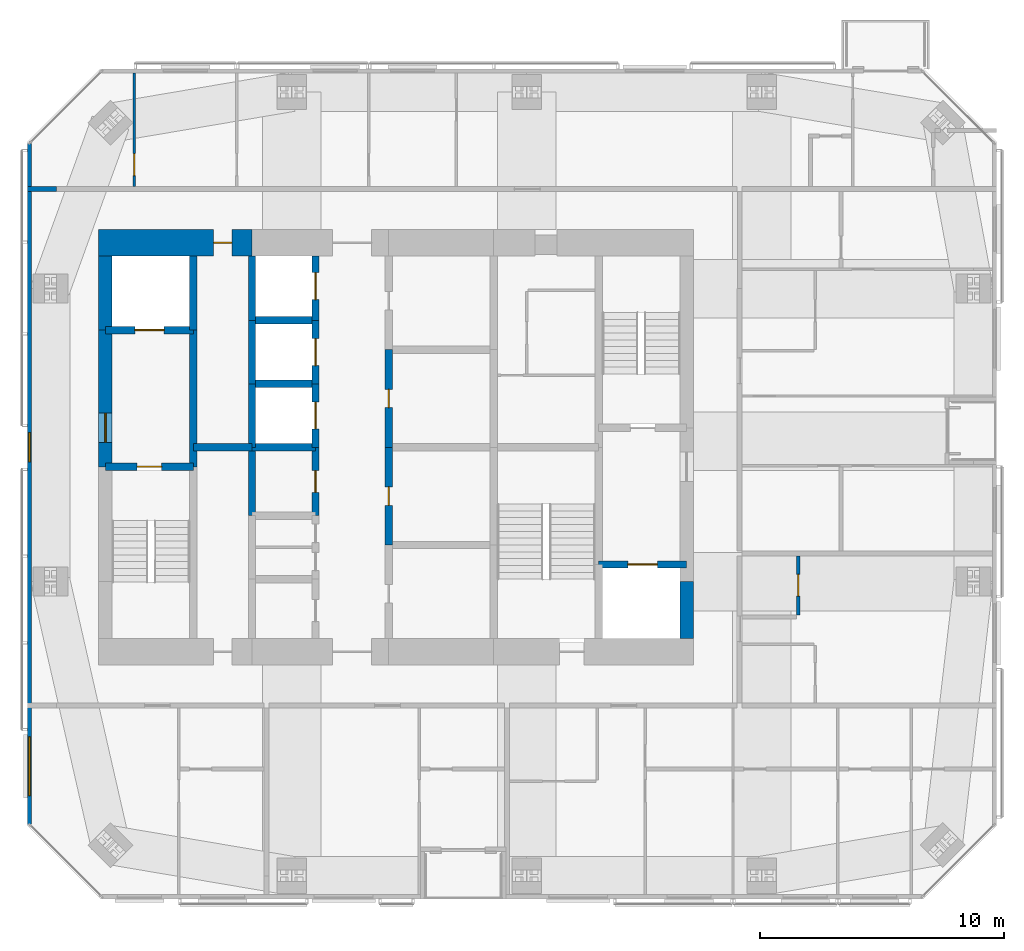
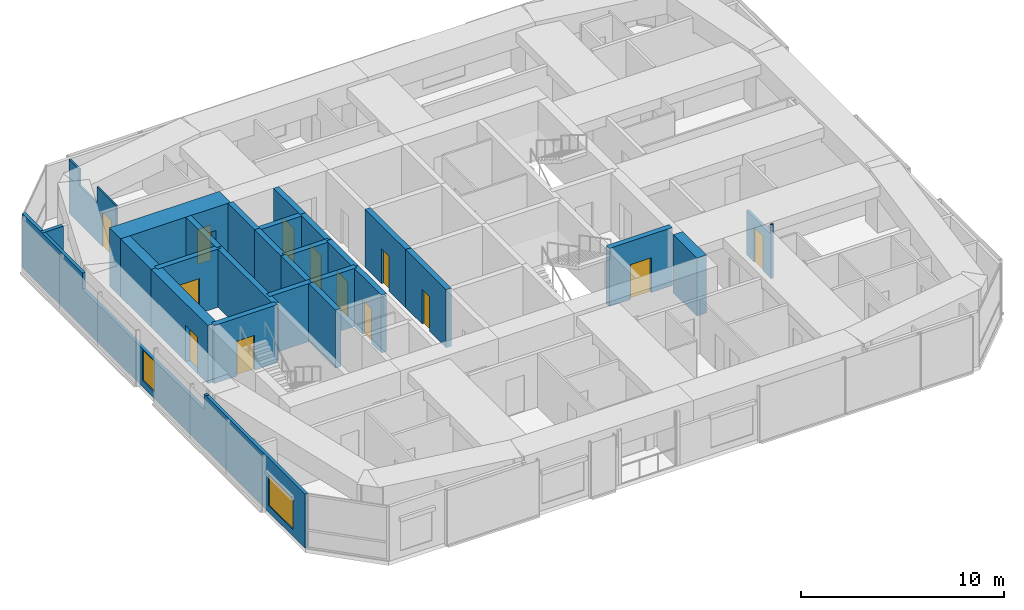
# One storey, part 16 of 20: 27 walls, 13 doors, 2 windows, 15 openings.
"""IFC4 building model written with IfcOpenShell, lengths in metres."""

from ifc_helpers import new_model, si_unit, direction, frame, frame_2d, origin, place, context, subcontext, project, spatial, polyline, rectangle, outline, extrude, material, layer, layer_set, constituent, constituent_set, type_object, element, fill, save


model = new_model("IFC4")

# Units and contexts
model_context = context("Model", 3, precision=1e-05, world=origin(), true_north=direction((0.0, 1.0)))
body_context = subcontext(model_context, "Body", "Model", "MODEL_VIEW")
ifc_project = project(units=[si_unit("LENGTHUNIT", "METRE"), si_unit("AREAUNIT", "SQUARE_METRE"), si_unit("VOLUMEUNIT", "CUBIC_METRE"), si_unit("PLANEANGLEUNIT", "RADIAN"), si_unit("MASSUNIT", "GRAM", prefix="KILO")], contexts=[model_context])

# Site, building, storey
site_placement = place(None, origin())
site = spatial("IfcSite", under=ifc_project, at=site_placement, CompositionType="ELEMENT")
building_placement = place(site_placement, origin())
building = spatial("IfcBuilding", under=site, at=building_placement, Name="Jalousie Tower", CompositionType="ELEMENT")
storey_placement = place(building_placement, frame((0.0, 0.0, 242.449951171875)))
storey = spatial("IfcBuildingStorey", under=building, at=storey_placement, Name="L66", CompositionType="ELEMENT", Elevation=242.449951171875)

# Wall, opening, door
ifc_material_1 = material(Name="Concrete block ASTM C90", Category="concrete")
ifc_constituent_1 = constituent(ifc_material_1, Name="Body")
ifc_material_2 = material(Name="Render")
ifc_constituent_2 = constituent(ifc_material_2, Name="Finish")
ifc_constituent_set_1 = constituent_set(constituents=[ifc_constituent_1, ifc_constituent_2])
wall_type_1 = type_object("IfcWallType", Name="BATHROOM WALL 150", PredefinedType="PLUMBINGWALL", material=ifc_constituent_set_1)
wall_1_placement = place(storey_placement, frame((48.375, 11.625, 0.0), z_axis=(0.0, 0.0, 1.0), x_axis=(0.0, 1.0, 0.0)))
wall_1 = element("IfcWall", 1, at=wall_1_placement, inside=storey, type_object=wall_type_1, Name="Bathroom Wall 150 L66", PredefinedType="PLUMBINGWALL", context=body_context, shape_type="SweptSolid", body=[
    extrude(outline(polyline([(0.0, 0.0), (2.425048828125, 0.0), (2.425048828125, 3.260009765625), (2.425048828125, 2.66015625), (0.090087890625, 2.66015625), (0.090087890625, 3.260009765625), (0.0, 3.260009765625), (0.0, 0.0)])), frame((0.0, 0.074951171875, 0.0), z_axis=(0.0, -1.0, 0.0), x_axis=(1.0, 0.0, 0.0)), (0.0, 0.0, 1.0), 0.14990234375),
])
opening_1_placement = place(wall_1_placement, frame((0.77490234375, 0.0, 0.0)))
opening_1 = element("IfcOpeningElement", 2, at=opening_1_placement, cuts=wall_1, Name="Opening D3", PredefinedType="OPENING", context=body_context, shape_type="SweptSolid", body=[
    extrude(rectangle(XDim=0.89990234375, YDim=2.10009765625, at=frame_2d((0.449951171875, 1.050048828125))), frame((0.0, 0.0849609375, 0.0), z_axis=(0.0, -1.0, 0.0), x_axis=(1.0, 0.0, 0.0)), (0.0, 0.0, 1.0), 0.169921875),
])
ifc_material_3 = material(Name="Timber door", Category="wood")
door_type_1 = type_object("IfcDoorType", Name="BATHROOM DOOR 900", OperationType="SINGLE_SWING_LEFT", PredefinedType="DOOR", material=ifc_material_3)
door_1_placement = place(opening_1_placement, origin())
door_1 = element("IfcDoor", 3, at=door_1_placement, inside=storey, type_object=door_type_1, Name="Apartment 6605 bathroom door", OperationType="SINGLE_SWING_RIGHT", OverallHeight=2.10009765625, OverallWidth=0.89990234375, PredefinedType="DOOR", context=body_context, shape_type="SweptSolid", body=[
    extrude(rectangle(XDim=0.89990234375, YDim=2.10009765625, at=frame_2d((0.449951171875, 1.050048828125))), frame((0.0, 0.02490234375, 0.0), z_axis=(0.0, -1.0, 0.0), x_axis=(1.0, 0.0, 0.0)), (0.0, 0.0, 1.0), 0.050048828125),
])
fill(opening_1, door_1)

ifc_material_4 = material(Name="Concrete f'c 120 MPa", Category="concrete")
ifc_layer_1 = layer(ifc_material_4, 1.10009765625)
ifc_layer_set_1 = layer_set([ifc_layer_1], Name="Concrete f'c 120 MPa")
wall_type_2 = type_object("IfcWallType", Name="CORE WALL 1100", PredefinedType="SHEAR", material=ifc_layer_set_1)
wall_2_placement = place(storey_placement, frame((26.0, 26.875, 0.0), z_axis=(0.0, 0.0, 1.0), x_axis=(-1.0, 0.0, 0.0)))
wall_2 = element("IfcWall", 4, at=wall_2_placement, inside=storey, type_object=wall_type_2, Name="Core wall ND L66", PredefinedType="SHEAR", context=body_context, shape_type="SweptSolid", body=[
    extrude(rectangle(XDim=6.27490234375, YDim=1.10009765625, at=frame_2d((3.137451171875, 0.0))), origin(), (0.0, 0.0, 1.0), 3.5),
])
opening_2_placement = place(wall_2_placement, frame((0.824951171875, 0.0, 0.0)))
opening_2 = element("IfcOpeningElement", 5, at=opening_2_placement, cuts=wall_2, Name="Opening D16", PredefinedType="OPENING", context=body_context, shape_type="SweptSolid", body=[
    extrude(rectangle(XDim=0.75, YDim=2.10009765625, at=frame_2d((0.375, 1.050048828125))), frame((0.0, 0.56005859375, 0.0), z_axis=(0.0, -1.0, 0.0), x_axis=(1.0, 0.0, 0.0)), (0.0, 0.0, 1.0), 1.1201171875),
])
ifc_material_5 = material(Name="Steel fire door", Category="steel")
door_type_2 = type_object("IfcDoorType", Name="RISER DOOR 750", OperationType="SINGLE_SWING_LEFT", PredefinedType="DOOR", material=ifc_material_5)
door_2_placement = place(opening_2_placement, origin())
door_2 = element("IfcDoor", 6, at=door_2_placement, inside=storey, type_object=door_type_2, Name="North riser door", OperationType="SINGLE_SWING_RIGHT", OverallHeight=2.10009765625, OverallWidth=0.75, PredefinedType="DOOR", context=body_context, shape_type="SweptSolid", body=[
    extrude(rectangle(XDim=0.75, YDim=2.10009765625, at=frame_2d((0.375, 1.050048828125))), frame((0.0, 0.02490234375, 0.0), z_axis=(0.0, -1.0, 0.0), x_axis=(1.0, 0.0, 0.0)), (0.0, 0.0, 1.0), 0.050048828125),
])
fill(opening_2, door_2)

# Walls
ifc_material_6 = material(Name="Concrete f'c 120 MPa", Category="concrete")
ifc_layer_2 = layer(ifc_material_6, 0.300048828125)
ifc_layer_set_2 = layer_set([ifc_layer_2], Name="Concrete f'c 120 MPa")
wall_type_3 = type_object("IfcWallType", Name="CORE WALL 300", PredefinedType="SHEAR", material=ifc_layer_set_2)
wall_3_placement = place(storey_placement, frame((23.60009765625, 17.699951171875, 0.0), z_axis=(0.0, 0.0, 1.0), x_axis=(0.0, 1.0, 0.0)))
element("IfcWall", 7, at=wall_3_placement, inside=storey, type_object=wall_type_3, Name="Core wall X23.6B L66", PredefinedType="SHEAR", context=body_context, shape_type="SweptSolid", body=[
    extrude(rectangle(XDim=5.60009765625, YDim=0.300048828125, at=frame_2d((2.800048828125, 0.0))), origin(), (0.0, 0.0, 1.0), 3.5),
])
wall_4_placement = place(storey_placement, frame((23.60009765625, 23.300048828125, 0.0), z_axis=(0.0, 0.0, 1.0), x_axis=(0.0, 1.0, 0.0)))
element("IfcWall", 8, at=wall_4_placement, inside=storey, type_object=wall_type_3, Name="Core wall X23.6C L66", PredefinedType="SHEAR", context=body_context, shape_type="SweptSolid", body=[
    extrude(rectangle(XDim=3.02490234375, YDim=0.300048828125, at=frame_2d((1.512451171875, 0.0))), origin(), (0.0, 0.0, 1.0), 3.5),
])
wall_5_placement = place(storey_placement, frame((26.0, 15.699951171875, 0.0), z_axis=(0.0, 0.0, 1.0), x_axis=(0.0, 1.0, 0.0)))
element("IfcWall", 9, at=wall_5_placement, inside=storey, type_object=wall_type_3, Name="Core wall X26C L66", PredefinedType="SHEAR", context=body_context, shape_type="SweptSolid", body=[
    extrude(rectangle(XDim=2.800048828125, YDim=0.300048828125, at=frame_2d((1.39990234375, 0.0))), origin(), (0.0, 0.0, 1.0), 3.5),
])
wall_6_placement = place(storey_placement, frame((26.0, 18.5, 0.0), z_axis=(0.0, 0.0, 1.0), x_axis=(0.0, 1.0, 0.0)))
element("IfcWall", 10, at=wall_6_placement, inside=storey, type_object=wall_type_3, Name="Core wall X26D L66", PredefinedType="SHEAR", context=body_context, shape_type="SweptSolid", body=[
    extrude(rectangle(XDim=2.60009765625, YDim=0.300048828125, at=frame_2d((1.300048828125, 0.0))), origin(), (0.0, 0.0, 1.0), 3.5),
])
wall_7_placement = place(storey_placement, frame((26.0, 21.10009765625, 0.0), z_axis=(0.0, 0.0, 1.0), x_axis=(0.0, 1.0, 0.0)))
element("IfcWall", 11, at=wall_7_placement, inside=storey, type_object=wall_type_3, Name="Core wall X26E L66", PredefinedType="SHEAR", context=body_context, shape_type="SweptSolid", body=[
    extrude(rectangle(XDim=2.599853515625, YDim=0.300048828125, at=frame_2d((1.2998046875, 0.0))), origin(), (0.0, 0.0, 1.0), 3.5),
])
wall_8_placement = place(storey_placement, frame((26.0, 23.699951171875, 0.0), z_axis=(0.0, 0.0, 1.0), x_axis=(0.0, 1.0, 0.0)))
element("IfcWall", 12, at=wall_8_placement, inside=storey, type_object=wall_type_3, Name="Core wall X26F L66", PredefinedType="SHEAR", context=body_context, shape_type="SweptSolid", body=[
    extrude(rectangle(XDim=2.625, YDim=0.300048828125, at=frame_2d((1.3125, 0.0))), origin(), (0.0, 0.0, 1.0), 3.5),
])

# Wall, opening, door
wall_9_placement = place(storey_placement, frame((28.60009765625, 15.699951171875, 0.0), z_axis=(0.0, 0.0, 1.0), x_axis=(0.0, 1.0, 0.0)))
wall_9 = element("IfcWall", 13, at=wall_9_placement, inside=storey, type_object=wall_type_3, Name="Core wall X28.6C L66", PredefinedType="SHEAR", context=body_context, shape_type="SweptSolid", body=[
    extrude(rectangle(XDim=2.800048828125, YDim=0.300048828125, at=frame_2d((1.39990234375, 0.0))), origin(), (0.0, 0.0, 1.0), 3.5),
])
opening_3_placement = place(wall_9_placement, frame((0.949951171875, 0.0, 0.0)))
opening_3 = element("IfcOpeningElement", 14, at=opening_3_placement, cuts=wall_9, Name="Opening D24", PredefinedType="OPENING", context=body_context, shape_type="SweptSolid", body=[
    extrude(rectangle(XDim=0.89990234375, YDim=2.10009765625, at=frame_2d((0.449951171875, 1.050048828125))), frame((0.0, 0.159912109375, 0.0), z_axis=(0.0, -1.0, 0.0), x_axis=(1.0, 0.0, 0.0)), (0.0, 0.0, 1.0), 0.320068359375),
])
ifc_material_7 = material(Name="Steel fire door", Category="steel")
door_type_3 = type_object("IfcDoorType", Name="CORE ROOM DOOR 900", OperationType="SINGLE_SWING_LEFT", PredefinedType="DOOR", material=ifc_material_7)
door_3_placement = place(opening_3_placement, origin())
door_3 = element("IfcDoor", 15, at=door_3_placement, inside=storey, type_object=door_type_3, Name="IT room door", OperationType="SINGLE_SWING_LEFT", OverallHeight=2.10009765625, OverallWidth=0.89990234375, PredefinedType="DOOR", context=body_context, shape_type="SweptSolid", body=[
    extrude(rectangle(XDim=0.89990234375, YDim=2.10009765625, at=frame_2d((0.449951171875, 1.050048828125))), frame((0.0, 0.02490234375, 0.0), z_axis=(0.0, -1.0, 0.0), x_axis=(1.0, 0.0, 0.0)), (0.0, 0.0, 1.0), 0.050048828125),
])
fill(opening_3, door_3)

wall_10_placement = place(storey_placement, frame((28.60009765625, 18.5, 0.0), z_axis=(0.0, 0.0, 1.0), x_axis=(0.0, 1.0, 0.0)))
wall_10 = element("IfcWall", 16, at=wall_10_placement, inside=storey, type_object=wall_type_3, Name="Core wall X28.6D L66", PredefinedType="SHEAR", context=body_context, shape_type="SweptSolid", body=[
    extrude(rectangle(XDim=2.60009765625, YDim=0.300048828125, at=frame_2d((1.300048828125, 0.0))), origin(), (0.0, 0.0, 1.0), 3.5),
])
opening_4_placement = place(wall_10_placement, frame((0.75, 0.0, 0.0)))
opening_4 = element("IfcOpeningElement", 17, at=opening_4_placement, cuts=wall_10, Name="Opening LD1", PredefinedType="OPENING", context=body_context, shape_type="SweptSolid", body=[
    extrude(rectangle(XDim=1.10009765625, YDim=2.10009765625, at=frame_2d((0.550048828125, 1.050048828125))), frame((0.0, 0.159912109375, 0.0), z_axis=(0.0, -1.0, 0.0), x_axis=(1.0, 0.0, 0.0)), (0.0, 0.0, 1.0), 0.320068359375),
])
ifc_material_8 = material(Name="Steel lift landing door", Category="steel")
door_type_4 = type_object("IfcDoorType", Name="LIFT LANDING DOOR 1100", OperationType="SLIDING_TO_LEFT", PredefinedType="DOOR", material=ifc_material_8)
door_4_placement = place(opening_4_placement, origin())
door_4 = element("IfcDoor", 18, at=door_4_placement, inside=storey, type_object=door_type_4, Name="Lift P4 landing door", OperationType="SLIDING_TO_LEFT", OverallHeight=2.10009765625, OverallWidth=1.10009765625, PredefinedType="DOOR", context=body_context, shape_type="SweptSolid", body=[
    extrude(rectangle(XDim=1.10009765625, YDim=2.10009765625, at=frame_2d((0.550048828125, 1.050048828125))), frame((0.0, 0.02490234375, 0.0), z_axis=(0.0, -1.0, 0.0), x_axis=(1.0, 0.0, 0.0)), (0.0, 0.0, 1.0), 0.050048828125),
])
fill(opening_4, door_4)

wall_11_placement = place(storey_placement, frame((28.60009765625, 21.10009765625, 0.0), z_axis=(0.0, 0.0, 1.0), x_axis=(0.0, 1.0, 0.0)))
wall_11 = element("IfcWall", 19, at=wall_11_placement, inside=storey, type_object=wall_type_3, Name="Core wall X28.6E L66", PredefinedType="SHEAR", context=body_context, shape_type="SweptSolid", body=[
    extrude(rectangle(XDim=2.599853515625, YDim=0.300048828125, at=frame_2d((1.2998046875, 0.0))), origin(), (0.0, 0.0, 1.0), 3.5),
])
opening_5_placement = place(wall_11_placement, frame((0.75, 0.0, 0.0)))
opening_5 = element("IfcOpeningElement", 20, at=opening_5_placement, cuts=wall_11, Name="Opening LD1", PredefinedType="OPENING", context=body_context, shape_type="SweptSolid", body=[
    extrude(rectangle(XDim=1.10009765625, YDim=2.10009765625, at=frame_2d((0.550048828125, 1.050048828125))), frame((0.0, 0.159912109375, 0.0), z_axis=(0.0, -1.0, 0.0), x_axis=(1.0, 0.0, 0.0)), (0.0, 0.0, 1.0), 0.320068359375),
])
door_5_placement = place(opening_5_placement, origin())
door_5 = element("IfcDoor", 21, at=door_5_placement, inside=storey, type_object=door_type_4, Name="Lift P5 landing door", OperationType="SLIDING_TO_LEFT", OverallHeight=2.10009765625, OverallWidth=1.10009765625, PredefinedType="DOOR", context=body_context, shape_type="SweptSolid", body=[
    extrude(rectangle(XDim=1.10009765625, YDim=2.10009765625, at=frame_2d((0.550048828125, 1.050048828125))), frame((0.0, 0.02490234375, 0.0), z_axis=(0.0, -1.0, 0.0), x_axis=(1.0, 0.0, 0.0)), (0.0, 0.0, 1.0), 0.050048828125),
])
fill(opening_5, door_5)

wall_12_placement = place(storey_placement, frame((28.60009765625, 23.699951171875, 0.0), z_axis=(0.0, 0.0, 1.0), x_axis=(0.0, 1.0, 0.0)))
wall_12 = element("IfcWall", 22, at=wall_12_placement, inside=storey, type_object=wall_type_3, Name="Core wall X28.6F L66", PredefinedType="SHEAR", context=body_context, shape_type="SweptSolid", body=[
    extrude(rectangle(XDim=2.625, YDim=0.300048828125, at=frame_2d((1.3125, 0.0))), origin(), (0.0, 0.0, 1.0), 3.5),
])
opening_6_placement = place(wall_12_placement, frame((0.85009765625, 0.0, 0.0)))
opening_6 = element("IfcOpeningElement", 23, at=opening_6_placement, cuts=wall_12, Name="Opening LD1", PredefinedType="OPENING", context=body_context, shape_type="SweptSolid", body=[
    extrude(rectangle(XDim=1.10009765625, YDim=2.10009765625, at=frame_2d((0.550048828125, 1.050048828125))), frame((0.0, 0.159912109375, 0.0), z_axis=(0.0, -1.0, 0.0), x_axis=(1.0, 0.0, 0.0)), (0.0, 0.0, 1.0), 0.320068359375),
])
door_6_placement = place(opening_6_placement, origin())
door_6 = element("IfcDoor", 24, at=door_6_placement, inside=storey, type_object=door_type_4, Name="Lift P6 landing door", OperationType="SLIDING_TO_LEFT", OverallHeight=2.10009765625, OverallWidth=1.10009765625, PredefinedType="DOOR", context=body_context, shape_type="SweptSolid", body=[
    extrude(rectangle(XDim=1.10009765625, YDim=2.10009765625, at=frame_2d((0.550048828125, 1.050048828125))), frame((0.0, 0.02490234375, 0.0), z_axis=(0.0, -1.0, 0.0), x_axis=(1.0, 0.0, 0.0)), (0.0, 0.0, 1.0), 0.050048828125),
])
fill(opening_6, door_6)

wall_13_placement = place(storey_placement, frame((31.60009765625, 14.5, 0.0), z_axis=(0.0, 0.0, 1.0), x_axis=(0.0, 1.0, 0.0)))
wall_13 = element("IfcWall", 25, at=wall_13_placement, inside=storey, type_object=wall_type_3, Name="Core wall X31.6B L66", PredefinedType="SHEAR", context=body_context, shape_type="SweptSolid", body=[
    extrude(rectangle(XDim=4.0, YDim=0.300048828125, at=frame_2d((2.0, 0.0))), origin(), (0.0, 0.0, 1.0), 3.5),
])
opening_7_placement = place(wall_13_placement, frame((1.625, 0.0, 0.0)))
opening_7 = element("IfcOpeningElement", 26, at=opening_7_placement, cuts=wall_13, Name="Opening D16", PredefinedType="OPENING", context=body_context, shape_type="SweptSolid", body=[
    extrude(rectangle(XDim=0.75, YDim=2.10009765625, at=frame_2d((0.375, 1.050048828125))), frame((0.0, 0.159912109375, 0.0), z_axis=(0.0, -1.0, 0.0), x_axis=(1.0, 0.0, 0.0)), (0.0, 0.0, 1.0), 0.320068359375),
])
door_7_placement = place(opening_7_placement, frame((0.75, 0.0, 0.0), z_axis=(0.0, 0.0, 1.0), x_axis=(-1.0, 0.0, 0.0)))
door_7 = element("IfcDoor", 27, at=door_7_placement, inside=storey, type_object=door_type_2, Name="Electrical Room door", OperationType="SINGLE_SWING_RIGHT", OverallHeight=2.10009765625, OverallWidth=0.75, PredefinedType="DOOR", context=body_context, shape_type="SweptSolid", body=[
    extrude(rectangle(XDim=0.75, YDim=2.10009765625, at=frame_2d((0.375, 1.050048828125))), frame((0.0, 0.02490234375, 0.0), z_axis=(0.0, -1.0, 0.0), x_axis=(1.0, 0.0, 0.0)), (0.0, 0.0, 1.0), 0.050048828125),
])
fill(opening_7, door_7)

wall_14_placement = place(storey_placement, frame((31.60009765625, 18.5, 0.0), z_axis=(0.0, 0.0, 1.0), x_axis=(0.0, 1.0, 0.0)))
wall_14 = element("IfcWall", 28, at=wall_14_placement, inside=storey, type_object=wall_type_3, Name="Core wall X31.6C L66", PredefinedType="SHEAR", context=body_context, shape_type="SweptSolid", body=[
    extrude(rectangle(XDim=4.0, YDim=0.300048828125, at=frame_2d((2.0, 0.0))), origin(), (0.0, 0.0, 1.0), 3.5),
])
opening_8_placement = place(wall_14_placement, frame((1.625, 0.0, 0.0)))
opening_8 = element("IfcOpeningElement", 29, at=opening_8_placement, cuts=wall_14, Name="Opening D16", PredefinedType="OPENING", context=body_context, shape_type="SweptSolid", body=[
    extrude(rectangle(XDim=0.75, YDim=2.10009765625, at=frame_2d((0.375, 1.050048828125))), frame((0.0, 0.159912109375, 0.0), z_axis=(0.0, -1.0, 0.0), x_axis=(1.0, 0.0, 0.0)), (0.0, 0.0, 1.0), 0.320068359375),
])
door_8_placement = place(opening_8_placement, frame((0.75, 0.0, 0.0), z_axis=(0.0, 0.0, 1.0), x_axis=(-1.0, 0.0, 0.0)))
door_8 = element("IfcDoor", 30, at=door_8_placement, inside=storey, type_object=door_type_2, Name="Telecom Room door", OperationType="SINGLE_SWING_RIGHT", OverallHeight=2.10009765625, OverallWidth=0.75, PredefinedType="DOOR", context=body_context, shape_type="SweptSolid", body=[
    extrude(rectangle(XDim=0.75, YDim=2.10009765625, at=frame_2d((0.375, 1.050048828125))), frame((0.0, 0.02490234375, 0.0), z_axis=(0.0, -1.0, 0.0), x_axis=(1.0, 0.0, 0.0)), (0.0, 0.0, 1.0), 0.050048828125),
])
fill(opening_8, door_8)

wall_15_placement = place(storey_placement, frame((20.0, 17.699951171875, 0.0), z_axis=(0.0, 0.0, 1.0), x_axis=(1.0, 0.0, 0.0)))
wall_15 = element("IfcWall", 31, at=wall_15_placement, inside=storey, type_object=wall_type_3, Name="Core wall Y20-17.7 L66", PredefinedType="SHEAR", context=body_context, shape_type="SweptSolid", body=[
    extrude(rectangle(XDim=3.60009765625, YDim=0.300048828125, at=frame_2d((1.800048828125, 0.0))), origin(), (0.0, 0.0, 1.0), 3.5),
])
opening_9_placement = place(wall_15_placement, frame((1.300048828125, 0.0, 0.0)))
opening_9 = element("IfcOpeningElement", 32, at=opening_9_placement, cuts=wall_15, Name="Opening D10", PredefinedType="OPENING", context=body_context, shape_type="SweptSolid", body=[
    extrude(rectangle(XDim=1.0, YDim=2.10009765625, at=frame_2d((0.5, 1.050048828125))), frame((0.0, 0.159912109375, 0.0), z_axis=(0.0, -1.0, 0.0), x_axis=(1.0, 0.0, 0.0)), (0.0, 0.0, 1.0), 0.320068359375),
])
ifc_material_9 = material(Name="Steel fire door", Category="steel")
door_type_5 = type_object("IfcDoorType", Name="STAIR DOOR 1000", OperationType="SINGLE_SWING_LEFT", PredefinedType="DOOR", material=ifc_material_9)
door_9_placement = place(opening_9_placement, frame((1.0, 0.0, 0.0), z_axis=(0.0, 0.0, 1.0), x_axis=(-1.0, 0.0, 0.0)))
door_9 = element("IfcDoor", 33, at=door_9_placement, inside=storey, type_object=door_type_5, Name="Exit stair A door", OperationType="SINGLE_SWING_RIGHT", OverallHeight=2.10009765625, OverallWidth=1.0, PredefinedType="DOOR", context=body_context, shape_type="SweptSolid", body=[
    extrude(rectangle(XDim=1.0, YDim=2.10009765625, at=frame_2d((0.5, 1.050048828125))), frame((0.0, 0.02490234375, 0.0), z_axis=(0.0, -1.0, 0.0), x_axis=(1.0, 0.0, 0.0)), (0.0, 0.0, 1.0), 0.050048828125),
])
fill(opening_9, door_9)

wall_16_placement = place(storey_placement, frame((20.0, 23.300048828125, 0.0), z_axis=(0.0, 0.0, 1.0), x_axis=(1.0, 0.0, 0.0)))
wall_16 = element("IfcWall", 34, at=wall_16_placement, inside=storey, type_object=wall_type_3, Name="Core wall Y20-23.3 L66", PredefinedType="SHEAR", context=body_context, shape_type="SweptSolid", body=[
    extrude(rectangle(XDim=3.60009765625, YDim=0.300048828125, at=frame_2d((1.800048828125, 0.0))), origin(), (0.0, 0.0, 1.0), 3.5),
])
opening_10_placement = place(wall_16_placement, frame((1.199951171875, 0.0, 0.0)))
opening_10 = element("IfcOpeningElement", 35, at=opening_10_placement, cuts=wall_16, Name="Opening LD2", PredefinedType="OPENING", context=body_context, shape_type="SweptSolid", body=[
    extrude(rectangle(XDim=1.199951171875, YDim=2.10009765625, at=frame_2d((0.60009765625, 1.050048828125))), frame((0.0, 0.159912109375, 0.0), z_axis=(0.0, -1.0, 0.0), x_axis=(1.0, 0.0, 0.0)), (0.0, 0.0, 1.0), 0.320068359375),
])
ifc_material_10 = material(Name="Steel lift landing door", Category="steel")
door_type_6 = type_object("IfcDoorType", Name="LIFT LANDING DOOR 1200", OperationType="SLIDING_TO_LEFT", PredefinedType="DOOR", material=ifc_material_10)
door_10_placement = place(opening_10_placement, origin())
door_10 = element("IfcDoor", 36, at=door_10_placement, inside=storey, type_object=door_type_6, Name="Lift F1 landing door", OperationType="SLIDING_TO_LEFT", OverallHeight=2.10009765625, OverallWidth=1.199951171875, PredefinedType="DOOR", context=body_context, shape_type="SweptSolid", body=[
    extrude(rectangle(XDim=1.199951171875, YDim=2.10009765625, at=frame_2d((0.60009765625, 1.050048828125))), frame((0.0, 0.02490234375, 0.0), z_axis=(0.0, -1.0, 0.0), x_axis=(1.0, 0.0, 0.0)), (0.0, 0.0, 1.0), 0.050048828125),
])
fill(opening_10, door_10)

# Walls
wall_17_placement = place(storey_placement, frame((23.60009765625, 18.5, 0.0), z_axis=(0.0, 0.0, 1.0), x_axis=(1.0, 0.0, 0.0)))
element("IfcWall", 37, at=wall_17_placement, inside=storey, type_object=wall_type_3, Name="Core wall Y23.6-18.5 L66", PredefinedType="SHEAR", context=body_context, shape_type="SweptSolid", body=[
    extrude(rectangle(XDim=2.39990234375, YDim=0.300048828125, at=frame_2d((1.199951171875, 0.0))), origin(), (0.0, 0.0, 1.0), 3.5),
])
for number, where, z_axis, x_axis, name in (
    (38, (26.0, 18.5, 0.0), (0.0, 0.0, 1.0), (1.0, 0.0, 0.0), "Core wall Y26-18.5 L66"),
    (39, (26.0, 21.10009765625, 0.0), (0.0, 0.0, 1.0), (1.0, 0.0, 0.0), "Core wall Y26-21.1 L66"),
    (40, (26.0, 23.699951171875, 0.0), (0.0, 0.0, 1.0), (1.0, 0.0, 0.0), "Core wall Y26-23.7 L66"),
):
    element("IfcWall", number, at=place(storey_placement, frame(where, z_axis=z_axis, x_axis=x_axis)), inside=storey, type_object=wall_type_3, Name=name, PredefinedType="SHEAR", context=body_context, shape_type="SweptSolid", body=[
        extrude(rectangle(XDim=2.60009765625, YDim=0.300048828125, at=frame_2d((1.300048828125, 0.0))), origin(), (0.0, 0.0, 1.0), 3.5),
    ])

# Wall, opening, door
wall_18_placement = place(storey_placement, frame((40.199951171875, 13.699951171875, 0.0), z_axis=(0.0, 0.0, 1.0), x_axis=(1.0, 0.0, 0.0)))
wall_18 = element("IfcWall", 41, at=wall_18_placement, inside=storey, type_object=wall_type_3, Name="Core wall Y40.2-13.7 L66", PredefinedType="SHEAR", context=body_context, shape_type="SweptSolid", body=[
    extrude(rectangle(XDim=3.60009765625, YDim=0.300048828125, at=frame_2d((1.800048828125, 0.0))), origin(), (0.0, 0.0, 1.0), 3.5),
])
opening_11_placement = place(wall_18_placement, frame((1.199951171875, 0.0, 0.0)))
opening_11 = element("IfcOpeningElement", 42, at=opening_11_placement, cuts=wall_18, Name="Opening LD2", PredefinedType="OPENING", context=body_context, shape_type="SweptSolid", body=[
    extrude(rectangle(XDim=1.199951171875, YDim=2.10009765625, at=frame_2d((0.60009765625, 1.050048828125))), frame((0.0, 0.159912109375, 0.0), z_axis=(0.0, -1.0, 0.0), x_axis=(1.0, 0.0, 0.0)), (0.0, 0.0, 1.0), 0.320068359375),
])
door_11_placement = place(opening_11_placement, origin())
door_11 = element("IfcDoor", 43, at=door_11_placement, inside=storey, type_object=door_type_6, Name="Lift F2 landing door", OperationType="SLIDING_TO_LEFT", OverallHeight=2.10009765625, OverallWidth=1.199951171875, PredefinedType="DOOR", context=body_context, shape_type="SweptSolid", body=[
    extrude(rectangle(XDim=1.199951171875, YDim=2.10009765625, at=frame_2d((0.60009765625, 1.050048828125))), frame((0.0, 0.02490234375, 0.0), z_axis=(0.0, -1.0, 0.0), x_axis=(1.0, 0.0, 0.0)), (0.0, 0.0, 1.0), 0.050048828125),
])
fill(opening_11, door_11)

# Wall
ifc_material_11 = material(Name="Concrete f'c 120 MPa", Category="concrete")
ifc_layer_3 = layer(ifc_material_11, 0.550048828125)
ifc_layer_set_3 = layer_set([ifc_layer_3], Name="Concrete f'c 120 MPa")
wall_type_4 = type_object("IfcWallType", Name="CORE WALL 550", PredefinedType="SHEAR", material=ifc_layer_set_3)
wall_19_placement = place(storey_placement, frame((20.0, 26.324951171875, 0.0), z_axis=(0.0, 0.0, 1.0), x_axis=(0.0, -1.0, 0.0)))
element("IfcWall", 44, at=wall_19_placement, inside=storey, type_object=wall_type_4, Name="Core wall WA L66", PredefinedType="SHEAR", context=body_context, shape_type="SweptSolid", body=[
    extrude(rectangle(XDim=3.02490234375, YDim=0.550048828125, at=frame_2d((1.512451171875, 0.0))), origin(), (0.0, 0.0, 1.0), 3.5),
])

# Wall, opening, door
wall_20_placement = place(storey_placement, frame((20.0, 23.300048828125, 0.0), z_axis=(0.0, 0.0, 1.0), x_axis=(0.0, -1.0, 0.0)))
wall_20 = element("IfcWall", 45, at=wall_20_placement, inside=storey, type_object=wall_type_4, Name="Core wall WB L66", PredefinedType="SHEAR", context=body_context, shape_type="SweptSolid", body=[
    extrude(rectangle(XDim=5.60009765625, YDim=0.550048828125, at=frame_2d((2.800048828125, 0.0))), origin(), (0.0, 0.0, 1.0), 3.5),
])
opening_12_placement = place(wall_20_placement, frame((3.39990234375, 0.0, 0.0)))
opening_12 = element("IfcOpeningElement", 46, at=opening_12_placement, cuts=wall_20, Name="Opening D11", PredefinedType="OPENING", context=body_context, shape_type="SweptSolid", body=[
    extrude(rectangle(XDim=1.199951171875, YDim=2.199951171875, at=frame_2d((0.60009765625, 1.10009765625))), frame((0.0, 0.284912109375, 0.0), z_axis=(0.0, -1.0, 0.0), x_axis=(1.0, 0.0, 0.0)), (0.0, 0.0, 1.0), 0.570068359375),
])
ifc_material_12 = material(Name="Steel fire door", Category="steel")
door_type_7 = type_object("IfcDoorType", Name="FIRE DOOR 1200", OperationType="SINGLE_SWING_LEFT", PredefinedType="DOOR", material=ifc_material_12)
door_12_placement = place(opening_12_placement, origin())
door_12 = element("IfcDoor", 47, at=door_12_placement, inside=storey, type_object=door_type_7, Name="Fire-fighting lobby A door", OperationType="SINGLE_SWING_RIGHT", OverallHeight=2.199951171875, OverallWidth=1.199951171875, PredefinedType="DOOR", context=body_context, shape_type="SweptSolid", body=[
    extrude(rectangle(XDim=1.199951171875, YDim=2.199951171875, at=frame_2d((0.60009765625, 1.10009765625))), frame((0.0, 0.02490234375, 0.0), z_axis=(0.0, -1.0, 0.0), x_axis=(1.0, 0.0, 0.0)), (0.0, 0.0, 1.0), 0.050048828125),
])
fill(opening_12, door_12)

# Wall
wall_21_placement = place(storey_placement, frame((43.800048828125, 10.675048828125, 0.0), z_axis=(0.0, 0.0, 1.0), x_axis=(0.0, 1.0, 0.0)))
element("IfcWall", 48, at=wall_21_placement, inside=storey, type_object=wall_type_4, Name="Core wall EA L66", PredefinedType="SHEAR", context=body_context, shape_type="SweptSolid", body=[
    extrude(rectangle(XDim=2.324951171875, YDim=0.550048828125, at=frame_2d((1.16259765625, 0.0))), origin(), (0.0, 0.0, 1.0), 3.5),
])

# Wall, openings, windows
ifc_material_13 = material(Name="Concrete f'c 40 MPa", Category="concrete")
ifc_constituent_3 = constituent(ifc_material_13, Name="Body")
ifc_material_14 = material(Name="Render, pastel sky blue")
ifc_constituent_4 = constituent(ifc_material_14, Name="Finish")
ifc_constituent_set_2 = constituent_set(constituents=[ifc_constituent_3, ifc_constituent_4])
wall_type_5 = type_object("IfcWallType", Name="EXTERNAL WALL 175 SKY BLUE RENDER", PredefinedType="SOLIDWALL", material=ifc_constituent_set_2)
wall_22_placement = place(storey_placement, frame((16.887451171875, 30.94873046875, 0.0), z_axis=(0.0, 0.0, 1.0), x_axis=(0.0, -1.0, 0.0)))
wall_22 = element("IfcWall", 49, at=wall_22_placement, inside=storey, type_object=wall_type_5, Name="External Wall 175 Sky Blue Render L66", PredefinedType="SOLIDWALL", context=body_context, shape_type="SweptSolid", body=[
    extrude(outline(polyline([(0.0, 0.0), (27.8974609375, 0.0), (27.8974609375, 3.260009765625), (18.1484375, 3.260009765625), (18.1484375, 2.300048828125), (18.125, 2.300048828125), (18.125, 3.260009765625), (17.94873046875, 3.260009765625), (17.94873046875, 2.300048828125), (5.94873046875, 2.300048828125), (5.94873046875, 3.260009765625), (0.0, 3.260009765625), (0.0, 0.0)])), frame((0.0, 0.08740234375, 0.0), z_axis=(0.0, -1.0, 0.0), x_axis=(1.0, 0.0, 0.0)), (0.0, 0.0, 1.0), 0.175048828125),
])
opening_13_placement = place(wall_22_placement, frame((11.8486328125, 0.0, 0.39990234375)))
opening_13 = element("IfcOpeningElement", 50, at=opening_13_placement, cuts=wall_22, Name="Opening W-COR185", PredefinedType="OPENING", context=body_context, shape_type="SweptSolid", body=[
    extrude(rectangle(XDim=1.199951171875, YDim=1.85009765625, at=frame_2d((0.60009765625, 0.925048828125))), frame((0.0, 0.097412109375, 0.0), z_axis=(0.0, -1.0, 0.0), x_axis=(1.0, 0.0, 0.0)), (0.0, 0.0, 1.0), 0.195068359375),
])
opening_14_placement = place(wall_22_placement, frame((24.310546875, 0.0, 0.39990234375)))
opening_14 = element("IfcOpeningElement", 51, at=opening_14_placement, cuts=wall_22, Name="Opening W-LIV185", PredefinedType="OPENING", context=body_context, shape_type="SweptSolid", body=[
    extrude(rectangle(XDim=2.39990234375, YDim=1.85009765625, at=frame_2d((1.199951171875, 0.925048828125))), frame((0.0, 0.097412109375, 0.0), z_axis=(0.0, -1.0, 0.0), x_axis=(1.0, 0.0, 0.0)), (0.0, 0.0, 1.0), 0.195068359375),
])
ifc_material_15 = material(Name="Aluminium frame, impact-rated glazing", Category="aluminium")
window_type_1 = type_object("IfcWindowType", Name="WINDOW COR 1200x1850", PartitioningType="SINGLE_PANEL", PredefinedType="WINDOW", material=ifc_material_15)
window_1_placement = place(opening_13_placement, origin())
window_1 = element("IfcWindow", 52, at=window_1_placement, inside=storey, type_object=window_type_1, Name="Corridor window", OverallHeight=1.85009765625, OverallWidth=1.199951171875, PartitioningType="SINGLE_PANEL", PredefinedType="WINDOW", context=body_context, shape_type="SweptSolid", body=[
    extrude(rectangle(XDim=1.199951171875, YDim=1.85009765625, at=frame_2d((0.60009765625, 0.925048828125))), frame((0.0, 0.030029296875, 0.0), z_axis=(0.0, -1.0, 0.0), x_axis=(1.0, 0.0, 0.0)), (0.0, 0.0, 1.0), 0.06005859375),
])
fill(opening_13, window_1)
ifc_material_16 = material(Name="Aluminium frame, impact-rated glazing", Category="aluminium")
window_type_2 = type_object("IfcWindowType", Name="WINDOW LIV 2400x1850", PartitioningType="DOUBLE_PANEL_VERTICAL", PredefinedType="WINDOW", material=ifc_material_16)
window_2_placement = place(opening_14_placement, origin())
window_2 = element("IfcWindow", 53, at=window_2_placement, inside=storey, type_object=window_type_2, Name="Apartment 6601 living, dining and kitchen window", OverallHeight=1.85009765625, OverallWidth=2.39990234375, PartitioningType="SINGLE_PANEL", PredefinedType="WINDOW", context=body_context, shape_type="SweptSolid", body=[
    extrude(rectangle(XDim=2.39990234375, YDim=1.85009765625, at=frame_2d((1.199951171875, 0.925048828125))), frame((0.0, 0.030029296875, 0.0), z_axis=(0.0, -1.0, 0.0), x_axis=(1.0, 0.0, 0.0)), (0.0, 0.0, 1.0), 0.06005859375),
])
fill(opening_14, window_2)

# Wall, opening, door
ifc_material_17 = material(Name="Gypsum board", Category="gypsum")
ifc_constituent_5 = constituent(ifc_material_17, Name="Body")
ifc_material_18 = material(Name="Light-gauge steel studs ASTM A653 SS Grade 33", Category="steel")
ifc_constituent_6 = constituent(ifc_material_18, Name="Framing")
ifc_constituent_set_3 = constituent_set(constituents=[ifc_constituent_5, ifc_constituent_6])
wall_type_6 = type_object("IfcWallType", Name="PARTITION 100", PredefinedType="PARTITIONING", material=ifc_constituent_set_3)
wall_23_placement = place(storey_placement, frame((21.17626953125, 33.824951171875, 0.0), z_axis=(0.0, 0.0, 1.0), x_axis=(0.0, -1.0, 0.0)))
wall_23 = element("IfcWall", 54, at=wall_23_placement, inside=storey, type_object=wall_type_6, Name="Partition 100 L66", PredefinedType="PARTITIONING", context=body_context, shape_type="SweptSolid", body=[
    extrude(outline(polyline([(0.0, 0.0), (4.64990234375, 0.0), (4.64990234375, 3.260009765625), (2.739990234375, 3.260009765625), (2.739990234375, 2.300048828125), (0.99560546875, 2.300048828125), (0.99560546875, 3.260009765625), (0.0, 3.260009765625), (0.0, 0.0)])), frame((0.0, 0.050048828125, 0.0), z_axis=(0.0, -1.0, 0.0), x_axis=(1.0, 0.0, 0.0)), (0.0, 0.0, 1.0), 0.10009765625),
])
opening_15_placement = place(wall_23_placement, frame((3.300048828125, 0.0, 0.0)))
opening_15 = element("IfcOpeningElement", 55, at=opening_15_placement, cuts=wall_23, Name="Opening D2", PredefinedType="OPENING", context=body_context, shape_type="SweptSolid", body=[
    extrude(rectangle(XDim=0.89990234375, YDim=2.10009765625, at=frame_2d((0.449951171875, 1.050048828125))), frame((0.0, 0.06005859375, 0.0), z_axis=(0.0, -1.0, 0.0), x_axis=(1.0, 0.0, 0.0)), (0.0, 0.0, 1.0), 0.1201171875),
])
ifc_material_19 = material(Name="Timber door", Category="wood")
door_type_8 = type_object("IfcDoorType", Name="BEDROOM DOOR 900", OperationType="SINGLE_SWING_LEFT", PredefinedType="DOOR", material=ifc_material_19)
door_13_placement = place(opening_15_placement, frame((0.89990234375, 0.0, 0.0), z_axis=(0.0, 0.0, 1.0), x_axis=(-1.0, 0.0, 0.0)))
door_13 = element("IfcDoor", 56, at=door_13_placement, inside=storey, type_object=door_type_8, Name="Apartment 6604 bedroom 1 door", OperationType="SINGLE_SWING_LEFT", OverallHeight=2.10009765625, OverallWidth=0.89990234375, PredefinedType="DOOR", context=body_context, shape_type="SweptSolid", body=[
    extrude(rectangle(XDim=0.89990234375, YDim=2.10009765625, at=frame_2d((0.449951171875, 1.050048828125))), frame((0.0, 0.02490234375, 0.0), z_axis=(0.0, -1.0, 0.0), x_axis=(1.0, 0.0, 0.0)), (0.0, 0.0, 1.0), 0.050048828125),
])
fill(opening_15, door_13)

# Wall
ifc_material_20 = material(Name="Concrete block ASTM C90", Category="concrete")
ifc_constituent_7 = constituent(ifc_material_20, Name="Body")
ifc_material_21 = material(Name="Render")
ifc_constituent_8 = constituent(ifc_material_21, Name="Finish")
ifc_constituent_set_4 = constituent_set(constituents=[ifc_constituent_7, ifc_constituent_8])
wall_type_7 = type_object("IfcWallType", Name="PARTY WALL 200", PredefinedType="PARTITIONING", material=ifc_constituent_set_4)
wall_24_placement = place(storey_placement, frame((16.800048828125, 29.074951171875, 0.0), z_axis=(0.0, 0.0, 1.0), x_axis=(1.0, 0.0, 0.0)))
element("IfcWall", 57, at=wall_24_placement, inside=storey, type_object=wall_type_7, Name="Party Wall 200 L66", PredefinedType="PARTITIONING", context=body_context, shape_type="SweptSolid", body=[
    extrude(rectangle(XDim=1.199951171875, YDim=0.199951171875, at=frame_2d((0.60009765625, 0.0))), origin(), (0.0, 0.0, 1.0), 3.260009765625),
])

save(model, "model.ifc")
